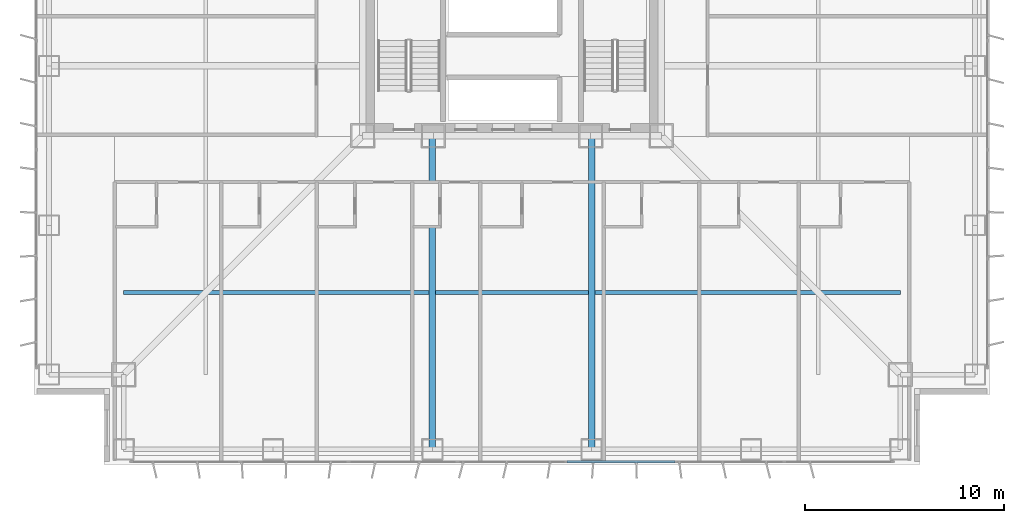
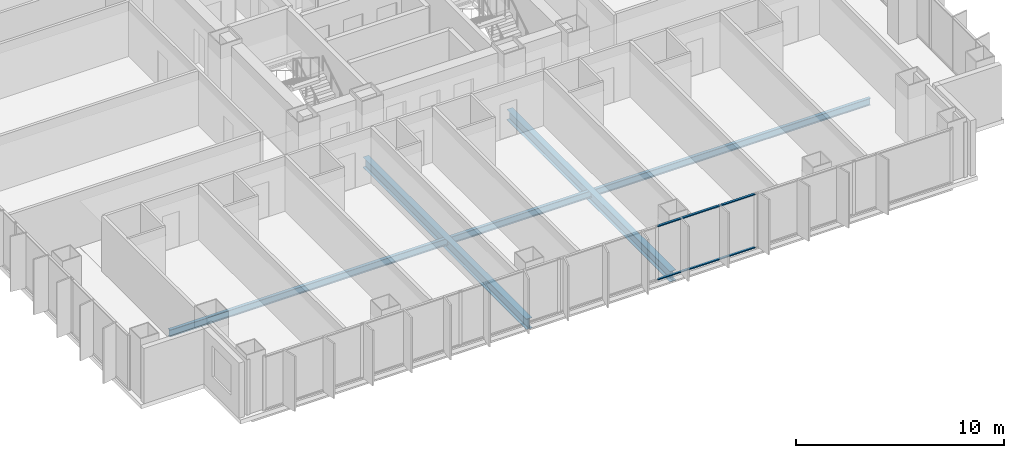
# One storey, part 3 of 19: 3 beams, 2 members, 1 element without a shape of its own.
"""IFC4 building model written with IfcOpenShell, lengths in metres."""

from ifc_helpers import new_model, si_unit, direction, frame, origin, origin_2d, place, context, subcontext, project, spatial, rectangle, i_section, extrude, material, layer, layer_set, material_profile, profile_set, type_object, element, aggregate, save


model = new_model("IFC4")

# Units and contexts
model_context = context("Model", 3, precision=1e-05, world=origin(), true_north=direction((0.0, 1.0)))
body_context = subcontext(model_context, "Body", "Model", "MODEL_VIEW")
ifc_project = project(units=[si_unit("LENGTHUNIT", "METRE"), si_unit("AREAUNIT", "SQUARE_METRE"), si_unit("VOLUMEUNIT", "CUBIC_METRE"), si_unit("PLANEANGLEUNIT", "RADIAN"), si_unit("MASSUNIT", "GRAM", prefix="KILO")], contexts=[model_context])

# Site, building, storey
site_placement = place(None, origin())
site = spatial("IfcSite", under=ifc_project, at=site_placement, CompositionType="ELEMENT")
building_placement = place(site_placement, origin())
building = spatial("IfcBuilding", under=site, at=building_placement, Name="Trevonay Congress Spire", CompositionType="ELEMENT")
storey_placement = place(building_placement, frame((0.0, 0.0, 58.5)))
storey = spatial("IfcBuildingStorey", under=building, at=storey_placement, Name="L14", CompositionType="ELEMENT", Elevation=58.5)

# Beams
ifc_material_1 = material(Name="Steel ASTM A572 Grade 50", Category="steel")
ifc_material_profile_1 = material_profile(ifc_material_1, i_section(OverallWidth=0.324951171875, OverallDepth=0.615966796875, WebThickness=0.013916015625, FlangeThickness=0.021484375, FilletRadius=0.01806640625, at=origin_2d()), Name="W610x174")
ifc_profile_set_1 = profile_set([ifc_material_profile_1], Name="Steel ASTM A572 Grade 50")
beam_type_1 = type_object("IfcBeamType", Name="BM-GIRD-W610X174", PredefinedType="BEAM", material=ifc_profile_set_1)
for number, where, z_axis, x_axis, name in (
    (1, (-4.0, -7.5, -0.55810546875), (0.0, -1.0, 0.0), (1.0, 0.0, 0.0), "L14 structural beam BM-L14-GS-M"),
    (2, (4.0, -7.5, -0.55810546875), (0.0, -1.0, 0.0), (1.0, 0.0, 0.0), "L14 structural beam BM-L14-GS-P"),
):
    element("IfcBeam", number, at=place(storey_placement, frame(where, z_axis=z_axis, x_axis=x_axis)), inside=storey, type_object=beam_type_1, Name=name, PredefinedType="BEAM", context=body_context, shape_type="SweptSolid", body=[
        extrude(i_section(OverallWidth=0.324951171875, OverallDepth=0.615966796875, WebThickness=0.013916015625, FlangeThickness=0.021484375, FilletRadius=0.01806640625, at=origin_2d()), origin(), (0.0, 0.0, 1.0), 15.75),
    ])

# Curtain wall, members
ifc_material_2 = material(Name="Pale Anodised Aluminium EN AW-6063-T6", Category="aluminium")
ifc_layer = layer(ifc_material_2, 0.179931640625, Name="Pale Anodised Aluminium EN AW-6063-T6")
ifc_layer_set = layer_set([ifc_layer], Name="Pale Anodised Aluminium EN AW-6063-T6")
curtain_wall_type = type_object("IfcCurtainWallType", Name="CW-SYS02-HOTEL-PALE-METAL", PredefinedType="NOTDEFINED", material=ifc_layer_set)
curtain_wall_placement = place(storey_placement, origin())
curtain_wall = element("IfcCurtainWall", 3, at=curtain_wall_placement, inside=storey, type_object=curtain_wall_type, Name="L14 S unitised curtain wall", PredefinedType="NOTDEFINED")
ifc_material_profile_2 = material_profile(ifc_material_2, rectangle(XDim=0.1201171875, YDim=0.06005859375, at=origin_2d()), Name="CW-TRANSOM-120-ALUMINIUM")
ifc_profile_set_2 = profile_set([ifc_material_profile_2], Name="Pale Anodised Aluminium EN AW-6063-T6")
member_type = type_object("IfcMemberType", Name="CW-TRANSOM-120-ALUMINIUM", PredefinedType="USERDEFINED", material=ifc_profile_set_2)
member_1_placement = place(storey_placement, frame((2.765625, -23.8798828125, 0.06005859375), z_axis=(1.0, 0.0, 0.0), x_axis=(0.0, 1.0, 0.0)))
member_1 = element("IfcMember", 4, at=member_1_placement, type_object=member_type, Name="CW02 transom 5.1", ObjectType="TRANSOM", PredefinedType="USERDEFINED", context=body_context, shape_type="SweptSolid", body=[
    extrude(rectangle(XDim=0.1201171875, YDim=0.06005859375, at=origin_2d()), origin(), (0.0, 0.0, 1.0), 5.41162109375),
])
member_2_placement = place(storey_placement, frame((2.765625, -23.8798828125, 3.18994140625), z_axis=(1.0, 0.0, 0.0), x_axis=(0.0, 1.0, 0.0)))
member_2 = element("IfcMember", 5, at=member_2_placement, type_object=member_type, Name="CW02 transom 5.2", ObjectType="TRANSOM", PredefinedType="USERDEFINED", context=body_context, shape_type="SweptSolid", body=[
    extrude(rectangle(XDim=0.1201171875, YDim=0.06005859375, at=origin_2d()), origin(), (0.0, 0.0, 1.0), 5.41162109375),
])
aggregate(curtain_wall, [member_1, member_2])

# Beam
ifc_material_profile_3 = material_profile(ifc_material_1, i_section(OverallWidth=0.177978515625, OverallDepth=0.406982421875, WebThickness=0.0078125, FlangeThickness=0.0126953125, FilletRadius=0.012939453125, at=origin_2d()), Name="W410x60")
ifc_profile_set_3 = profile_set([ifc_material_profile_3], Name="Steel ASTM A572 Grade 50")
beam_type_2 = type_object("IfcBeamType", Name="JS-COMP-W410X60", PredefinedType="JOIST", material=ifc_profile_set_3)
beam_placement = place(storey_placement, frame((-19.5, -15.375, -0.45361328125), z_axis=(1.0, 0.0, 0.0), x_axis=(0.0, 1.0, 0.0)))
element("IfcBeam", 6, at=beam_placement, inside=storey, type_object=beam_type_2, Name="L14 structural beam JS-L14-RING-S", PredefinedType="JOIST", context=body_context, shape_type="SweptSolid", body=[
    extrude(i_section(OverallWidth=0.177978515625, OverallDepth=0.406982421875, WebThickness=0.0078125, FlangeThickness=0.0126953125, FilletRadius=0.012939453125, at=origin_2d()), origin(), (0.0, 0.0, 1.0), 39.0),
])

save(model, "model.ifc")
